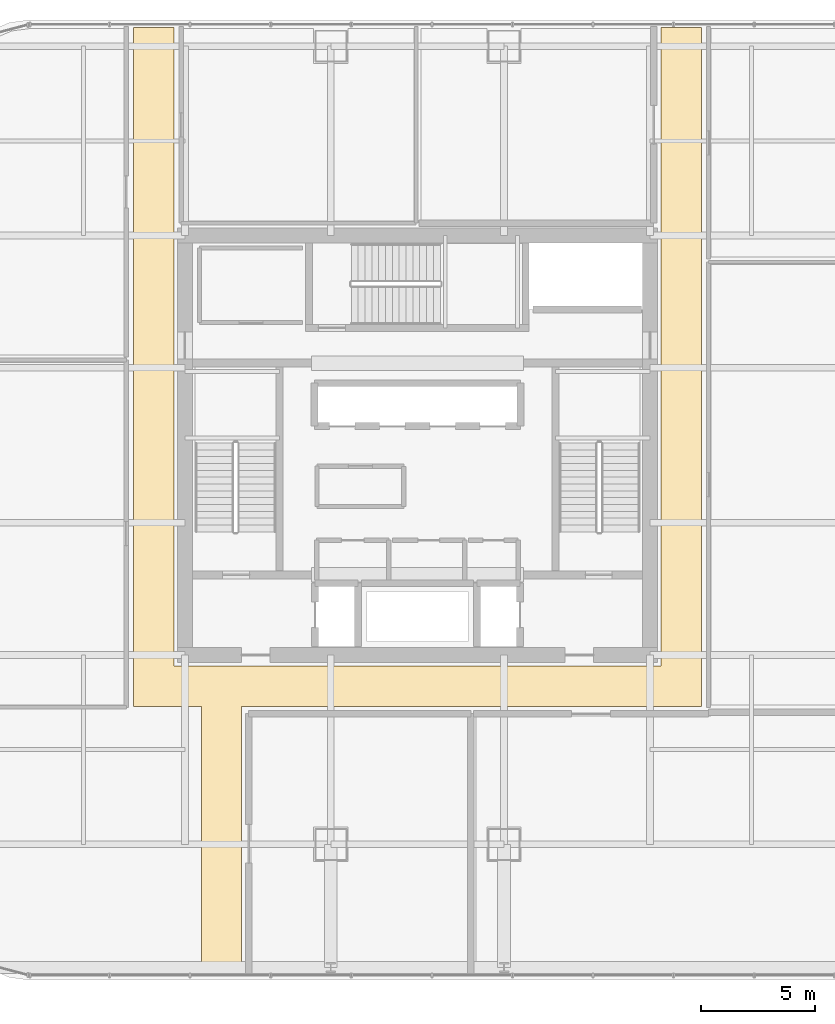
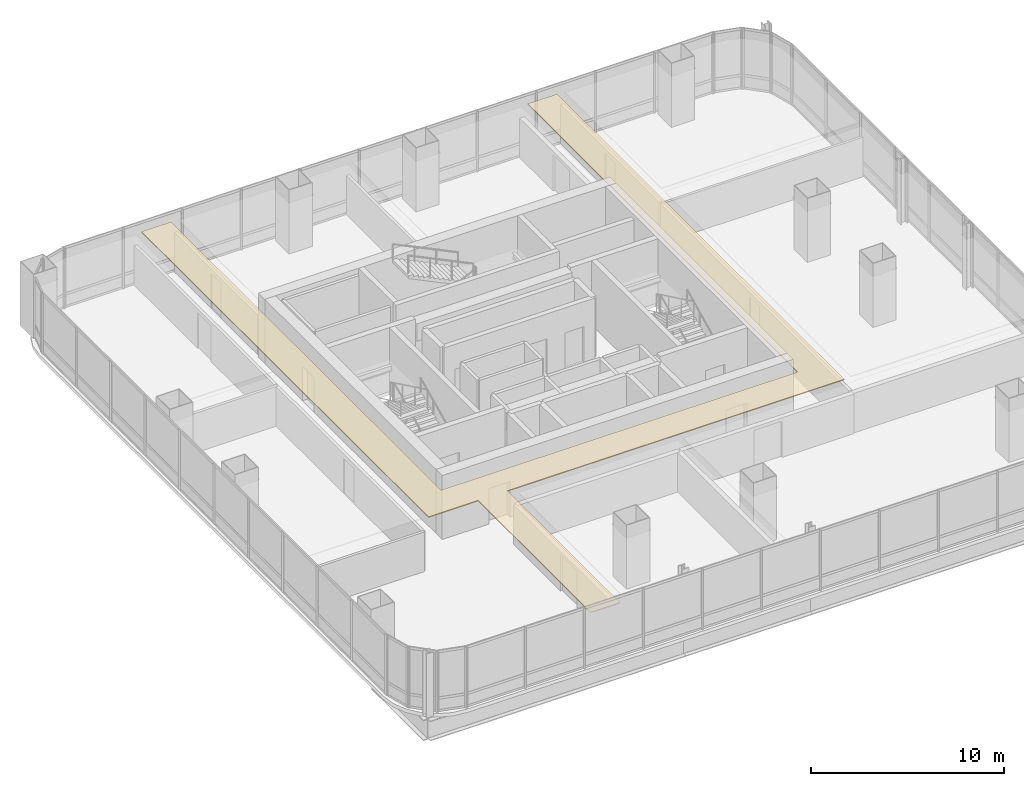
# One storey, part 33 of 35: 1 covering.
"""IFC4 building model written with IfcOpenShell, lengths in metres."""

import ifcopenshell
import ifcopenshell.guid

model = None  # the IFC model being written
_history = None  # IfcOwnerHistory: only IFC2X3 demands one
_inside = {}  # id of a spatial element -> (the spatial element, [elements in it])
_under = {}  # id of a project, library or spatial element -> (it, [spatial elements below it])
_declared = {}  # id of a project -> (the project, [libraries it declares])
_typed = {}  # id of a type object -> (the type object, [elements of that type])
_made_of = {}  # id of a material, layer set ... -> (it, [elements and type objects made of it])


def new_model(schema):
    """Start an empty IFC model of exactly this schema.

    Asked for "IFC4X3", IfcOpenShell would pick the latest addendum, in which some entities
    have other attributes; the version numbers below select the first issue.
    IFC2X3 requires an IfcOwnerHistory on every rooted entity: one is made here for all.
    """
    global model, _history
    if schema == "IFC4X3":
        model = ifcopenshell.file(schema_version=(4, 3, 0, 0))
    else:
        model = ifcopenshell.file(schema=schema)
    _inside.clear()
    _under.clear()
    _declared.clear()
    _typed.clear()
    _made_of.clear()
    _history = None
    if model.schema == "IFC2X3":
        org = make("IfcOrganization", Name="unknown")
        user = make(
            "IfcPersonAndOrganization",
            ThePerson=make("IfcPerson", FamilyName="unknown"),
            TheOrganization=org,
        )
        app = make(
            "IfcApplication",
            ApplicationDeveloper=org,
            Version="unknown",
            ApplicationFullName="unknown",
            ApplicationIdentifier="unknown",
        )
        _history = make(
            "IfcOwnerHistory",
            OwningUser=user,
            OwningApplication=app,
            ChangeAction="ADDED",
            CreationDate=0,
        )
    return model


def make(cls, **values):
    """One entity of the class cls with the attributes given. An attribute that is None is left unset."""
    return model.create_entity(
        cls, **{name: value for name, value in values.items() if value is not None}
    )


def rooted(cls, **values):
    """An entity with a GlobalId (a new one), such as an element, a storey or a relation."""
    return make(cls, GlobalId=ifcopenshell.guid.new(), OwnerHistory=_history, **values)


def si_unit(unit_type, name, prefix=None):
    """IfcSIUnit, for example si_unit("LENGTHUNIT", "METRE", prefix="MILLI")."""
    return make("IfcSIUnit", UnitType=unit_type, Prefix=prefix, Name=name)


def assignment(units):
    """IfcUnitAssignment: the units of a project."""
    return None if units is None else make("IfcUnitAssignment", Units=units)


def point(xyz):
    """IfcCartesianPoint."""
    return None if xyz is None else make("IfcCartesianPoint", Coordinates=xyz)


def direction(xyz):
    """IfcDirection."""
    return None if xyz is None else make("IfcDirection", DirectionRatios=xyz)


def frame(location, z_axis=None, x_axis=None):
    """IfcAxis2Placement3D, a coordinate frame: its origin and axes. An axis left out is left unset."""
    return make(
        "IfcAxis2Placement3D",
        Location=point(location),
        Axis=direction(z_axis),
        RefDirection=direction(x_axis),
    )


def origin():
    """The frame at (0, 0, 0) with its axes left unset."""
    return frame((0.0, 0.0, 0.0))


def place(relative_to, where):
    """IfcLocalPlacement: puts the frame where relative to a parent placement (None: the world)."""
    return make(
        "IfcLocalPlacement", PlacementRelTo=relative_to, RelativePlacement=where
    )


def context(
    kind, dimensions, precision=None, world=None, true_north=None, identifier=None
):
    """IfcGeometricRepresentationContext, for example the 3D "Model" context."""
    return make(
        "IfcGeometricRepresentationContext",
        ContextIdentifier=identifier,
        ContextType=kind,
        CoordinateSpaceDimension=dimensions,
        Precision=precision,
        WorldCoordinateSystem=world,
        TrueNorth=true_north,
    )


def subcontext(parent, identifier, kind, view, scale=None):
    """IfcGeometricRepresentationSubContext, for example "Body" below "Model"."""
    return make(
        "IfcGeometricRepresentationSubContext",
        ContextIdentifier=identifier,
        ContextType=kind,
        ParentContext=parent,
        TargetScale=scale,
        TargetView=view,
    )


def project(units=None, contexts=None):
    """IfcProject with its units and contexts."""
    return rooted(
        "IfcProject",
        Name="project",
        RepresentationContexts=contexts,
        UnitsInContext=assignment(units),
    )


def spatial(cls, under=None, at=None, **own):
    """A site, building, storey or space (cls), placed at a placement, below another one or the project."""
    s = rooted(cls, ObjectPlacement=at, **own)
    if under is not None:
        _under.setdefault(under.id(), (under, []))[1].append(s)
    return s


def polyline(points):
    """IfcPolyline through the points."""
    return make("IfcPolyline", Points=[point(p) for p in points])


def outline(outer, holes=None, kind="AREA"):
    """IfcArbitraryClosedProfileDef: a profile drawn as a closed curve; with holes, ...WithVoids."""
    if holes is None:
        return make("IfcArbitraryClosedProfileDef", ProfileType=kind, OuterCurve=outer)
    return make(
        "IfcArbitraryProfileDefWithVoids",
        ProfileType=kind,
        OuterCurve=outer,
        InnerCurves=holes,
    )


def extrude(swept, where, along, depth):
    """IfcExtrudedAreaSolid: the profile swept, set in the frame where, extruded along a direction by depth."""
    return make(
        "IfcExtrudedAreaSolid",
        SweptArea=swept,
        Position=where,
        ExtrudedDirection=direction(along),
        Depth=depth,
    )


def shape(context_of_items, identifier, shape_type, items):
    """IfcShapeRepresentation: the items that make up one representation, for example the "Body"."""
    return make(
        "IfcShapeRepresentation",
        ContextOfItems=context_of_items,
        RepresentationIdentifier=identifier,
        RepresentationType=shape_type,
        Items=items,
    )


def material(Name=None, Category=None):
    """IfcMaterial."""
    return make("IfcMaterial", Name=Name, Category=Category)


def layer(
    of_material, thickness, ventilated=None, Name=None, Category=None, Priority=None
):
    """IfcMaterialLayer: one layer of a wall or slab, of a material (None: an air gap)."""
    return make(
        "IfcMaterialLayer",
        Material=of_material,
        LayerThickness=thickness,
        IsVentilated=ventilated,
        Name=Name,
        Category=Category,
        Priority=Priority,
    )


def layer_set(layers, Name=None):
    """IfcMaterialLayerSet."""
    return make("IfcMaterialLayerSet", MaterialLayers=layers, LayerSetName=Name)


def made_of(thing, what):
    """Note that an element or type object is made of a material, layer set ...; save() writes the relation."""
    if what is not None:
        _made_of.setdefault(what.id(), (what, []))[1].append(thing)
    return thing


def type_object(cls, material=None, **own):
    """A type object (cls), such as IfcWallType, which elements share."""
    return made_of(rooted(cls, **own), material)


def element(
    cls,
    number,
    at=None,
    inside=None,
    cuts=None,
    type_object=None,
    material=None,
    context=None,
    identifier="Body",
    shape_type=None,
    held_by="IfcProductDefinitionShape",
    body=None,
    shapes=None,
    **own,
):
    """One element of the class cls, such as IfcWall. Its Tag is "e" and its number.

    at: its placement. inside: the storey or other place that contains it. cuts: it is an
    opening in that element (IfcRelVoidsElement). A single representation is given by context,
    identifier, shape_type and body (its items); several are given by shapes. held_by: the class
    of the entity that holds the representations. save() writes the other relations.
    """
    e = rooted(cls, Tag="e%d" % number, ObjectPlacement=at, **own)
    if body is not None:
        shapes = [shape(context, identifier, shape_type, body)]
    if shapes is not None:
        e.Representation = make(held_by, Representations=shapes)
    if inside is not None:
        _inside.setdefault(inside.id(), (inside, []))[1].append(e)
    if cuts is not None:
        rooted(
            "IfcRelVoidsElement", RelatingBuildingElement=cuts, RelatedOpeningElement=e
        )
    if type_object is not None:
        _typed.setdefault(type_object.id(), (type_object, []))[1].append(e)
    return made_of(e, material)


def aggregate(whole, parts):
    """IfcRelAggregates: a whole, such as a stair, and the parts it consists of."""
    return rooted("IfcRelAggregates", RelatingObject=whole, RelatedObjects=parts)


def save(model, path):
    """Write the relations noted so far, then the file.

    IfcRelAggregates (storeys below a building ...), IfcRelContainedInSpatialStructure (elements
    in a storey), IfcRelDefinesByType, IfcRelAssociatesMaterial and IfcRelDeclares: one each for
    every whole, place, type object, material and project.
    """
    for whole, parts in _under.values():
        aggregate(whole, parts)
    for where, things in _inside.values():
        rooted(
            "IfcRelContainedInSpatialStructure",
            RelatedElements=things,
            RelatingStructure=where,
        )
    for kind, things in _typed.values():
        rooted("IfcRelDefinesByType", RelatedObjects=things, RelatingType=kind)
    for what, things in _made_of.values():
        rooted("IfcRelAssociatesMaterial", RelatedObjects=things, RelatingMaterial=what)
    for by, libraries in _declared.values():
        rooted("IfcRelDeclares", RelatingContext=by, RelatedDefinitions=libraries)
    model.write(path)


model = new_model("IFC4")

# Units and contexts
model_context = context("Model", 3, precision=1e-05, world=origin(), true_north=direction((0.0, 1.0)))
body_context = subcontext(model_context, "Body", "Model", "MODEL_VIEW")
ifc_project = project(units=[si_unit("LENGTHUNIT", "METRE"), si_unit("AREAUNIT", "SQUARE_METRE"), si_unit("VOLUMEUNIT", "CUBIC_METRE"), si_unit("PLANEANGLEUNIT", "RADIAN"), si_unit("MASSUNIT", "GRAM", prefix="KILO")], contexts=[model_context])

# Site, building, storey
site_placement = place(None, origin())
site = spatial("IfcSite", under=ifc_project, at=site_placement, CompositionType="ELEMENT")
building_placement = place(site_placement, origin())
building = spatial("IfcBuilding", under=site, at=building_placement, Name="Punatoya Terracotta Tower", CompositionType="ELEMENT")
storey_placement = place(building_placement, frame((0.0, 0.0, 216.75)))
storey = spatial("IfcBuildingStorey", under=building, at=storey_placement, Name="L51", CompositionType="ELEMENT", Elevation=216.75)

# Covering
ifc_material = material(Name="Acoustic Mineral Fibre Ceiling")
ifc_layer = layer(ifc_material, 0.06005859375)
ifc_layer_set = layer_set([ifc_layer], Name="Acoustic Mineral Fibre Ceiling")
covering_type = type_object("IfcCoveringType", Name="COV-CEIL-60", PredefinedType="CEILING", material=ifc_layer_set)
covering_placement = place(storey_placement, frame((0.0, 0.0, 3.219970703125)))
element("IfcCovering", 1, at=covering_placement, inside=storey, type_object=covering_type, Name="L51 Central Spine Circulation Corridor Acoustic Ceiling", PredefinedType="CEILING", context=body_context, shape_type="SweptSolid", body=[
    extrude(outline(polyline([(12.449951171875, -11.449951171875), (12.449951171875, 18.330078125), (10.679931640625, 18.330078125), (10.679931640625, -9.679931640625), (-10.679931640625, -9.679931640625), (-10.679931640625, 18.330078125), (-12.449951171875, 18.330078125), (-12.449951171875, -11.449951171875), (-9.47998046875, -11.449951171875), (-9.47998046875, -23.1298828125), (-7.719970703125, -23.1298828125), (-7.719970703125, -11.449951171875), (12.449951171875, -11.449951171875)])), origin(), (0.0, 0.0, 1.0), 0.06005859375),
])

save(model, "model.ifc")
